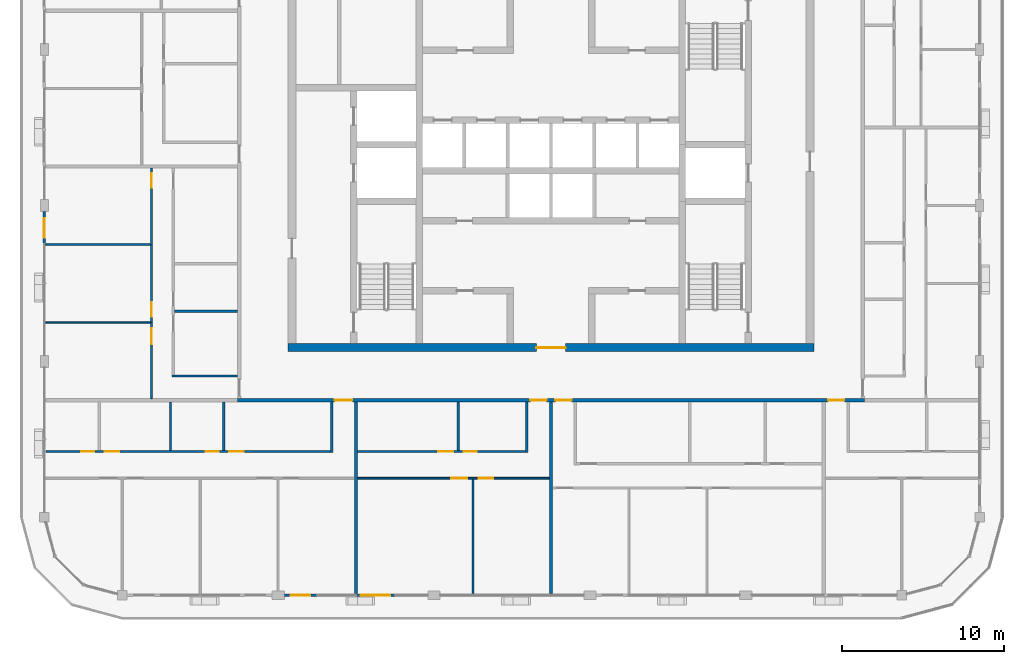
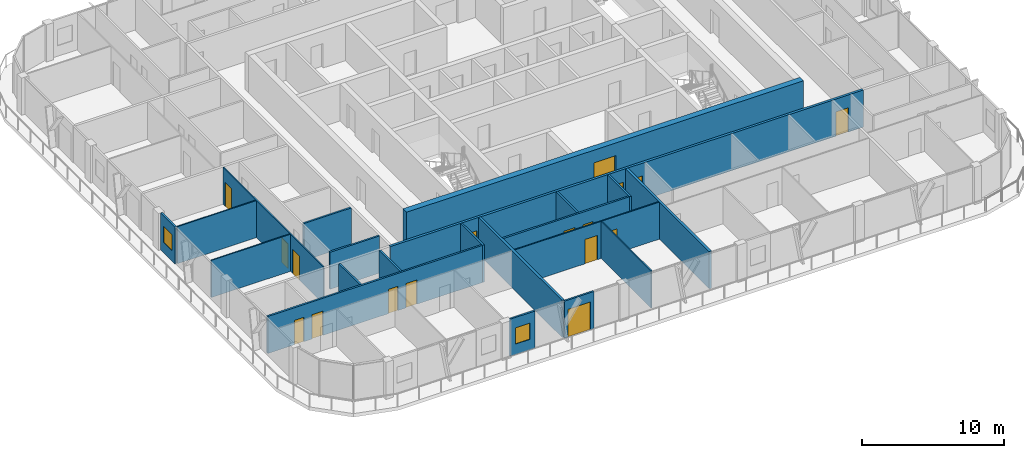
# One storey, part 9 of 21: 21 walls, 17 doors, 2 windows, 19 openings.
"""IFC4 building model written with IfcOpenShell, lengths in metres."""

from ifc_helpers import new_model, si_unit, direction, frame, frame_2d, origin, place, context, subcontext, project, spatial, rectangle, extrude, material, layer, layer_set, type_object, element, fill, save


model = new_model("IFC4")

# Units and contexts
model_context = context("Model", 3, precision=1e-05, world=origin(), true_north=direction((0.0, 1.0)))
body_context = subcontext(model_context, "Body", "Model", "MODEL_VIEW")
ifc_project = project(units=[si_unit("LENGTHUNIT", "METRE"), si_unit("AREAUNIT", "SQUARE_METRE"), si_unit("VOLUMEUNIT", "CUBIC_METRE"), si_unit("PLANEANGLEUNIT", "RADIAN"), si_unit("MASSUNIT", "GRAM", prefix="KILO")], contexts=[model_context])

# Site, building, storey
site_placement = place(None, origin())
site = spatial("IfcSite", under=ifc_project, at=site_placement, CompositionType="ELEMENT")
building_placement = place(site_placement, origin())
building = spatial("IfcBuilding", under=site, at=building_placement, Name="Madar Terraces", CompositionType="ELEMENT")
storey_placement = place(building_placement, frame((0.0, 0.0, 275.60009765625)))
storey = spatial("IfcBuildingStorey", under=building, at=storey_placement, Name="L72", CompositionType="ELEMENT", Elevation=275.60009765625)

# Wall, opening, door
ifc_material_1 = material(Name="Concrete C50/60", Category="concrete")
ifc_layer_1 = layer(ifc_material_1, 0.5)
ifc_layer_set_1 = layer_set([ifc_layer_1], Name="Concrete C50/60 (CRW6 RC wall 500)")
wall_type_1 = type_object("IfcWallType", Name="CRW6 RC wall 500", PredefinedType="SHEAR", material=ifc_layer_set_1)
wall_1_placement = place(storey_placement, frame((15.0, 15.25, 0.0), z_axis=(0.0, 0.0, 1.0), x_axis=(1.0, 0.0, 0.0)))
wall_1 = element("IfcWall", 1, at=wall_1_placement, inside=storey, type_object=wall_type_1, Name="CORE OUTER WALL", PredefinedType="SHEAR", context=body_context, shape_type="SweptSolid", body=[
    extrude(rectangle(XDim=32.39990234375, YDim=0.5, at=frame_2d((16.199951171875, 0.0))), origin(), (0.0, 0.0, 1.0), 3.199951171875),
])
opening_1_placement = place(wall_1_placement, frame((15.300048828125, 0.0, 0.0)))
opening_1 = element("IfcOpeningElement", 2, at=opening_1_placement, cuts=wall_1, Name="Opening KD1", PredefinedType="OPENING", context=body_context, shape_type="SweptSolid", body=[
    extrude(rectangle(XDim=1.800048828125, YDim=2.10009765625, at=frame_2d((0.89990234375, 1.050048828125))), frame((0.0, 0.260009765625, 0.0), z_axis=(0.0, -1.0, 0.0), x_axis=(1.0, 0.0, 0.0)), (0.0, 0.0, 1.0), 0.52001953125),
])
ifc_material_2 = material(Name="Steel door leaf", Category="steel")
door_type_1 = type_object("IfcDoorType", Name="Lobby door pair 1800 x 2100", OperationType="DOUBLE_DOOR_SINGLE_SWING", PredefinedType="DOOR", material=ifc_material_2)
door_1_placement = place(opening_1_placement, frame((1.800048828125, 0.0, 0.0), z_axis=(0.0, 0.0, 1.0), x_axis=(-1.0, 0.0, 0.0)))
door_1 = element("IfcDoor", 3, at=door_1_placement, inside=storey, type_object=door_type_1, Name="LIFT LOBBY DOOR", OperationType="DOUBLE_DOOR_SINGLE_SWING", OverallHeight=2.10009765625, OverallWidth=1.800048828125, PredefinedType="DOOR", context=body_context, shape_type="SweptSolid", body=[
    extrude(rectangle(XDim=1.800048828125, YDim=2.10009765625, at=frame_2d((0.89990234375, 1.050048828125))), frame((0.0, 0.02490234375, 0.0), z_axis=(0.0, -1.0, 0.0), x_axis=(1.0, 0.0, 0.0)), (0.0, 0.0, 1.0), 0.050048828125),
])
fill(opening_1, door_1)

# Wall, opening, window
ifc_material_3 = material(Name="Aluminium composite panel, black, over insulated backing", Category="aluminium")
ifc_layer_2 = layer(ifc_material_3, 0.14990234375)
ifc_layer_set_2 = layer_set([ifc_layer_2], Name="Facade bay panel 150")
wall_type_2 = type_object("IfcWallType", Name="Facade bay panel 150", PredefinedType="SOLIDWALL", material=ifc_layer_set_2)
wall_2_placement = place(storey_placement, frame((14.77490234375, 0.0, 0.0), z_axis=(0.0, 0.0, 1.0), x_axis=(1.0, 0.0, 0.0)))
wall_2 = element("IfcWall", 4, at=wall_2_placement, inside=storey, type_object=wall_type_2, Name="Facade bay panel", PredefinedType="SOLIDWALL", context=body_context, shape_type="SweptSolid", body=[
    extrude(rectangle(XDim=2.025146484375, YDim=0.14990234375, at=frame_2d((1.0126953125, 0.0))), origin(), (0.0, 0.0, 1.0), 3.199951171875),
])
opening_2_placement = place(wall_2_placement, frame((0.41259765625, 0.0, 0.89990234375)))
opening_2 = element("IfcOpeningElement", 5, at=opening_2_placement, cuts=wall_2, Name="Opening W1", PredefinedType="OPENING", context=body_context, shape_type="SweptSolid", body=[
    extrude(rectangle(XDim=1.199951171875, YDim=1.39990234375, at=frame_2d((0.60009765625, 0.699951171875))), frame((0.0, 0.0849609375, 0.0), z_axis=(0.0, -1.0, 0.0), x_axis=(1.0, 0.0, 0.0)), (0.0, 0.0, 1.0), 0.169921875),
])
ifc_material_4 = material(Name="Glass, clear, with black aluminium frame", Category="aluminium")
window_type = type_object("IfcWindowType", Name="Vent window 1200 x 1400", PartitioningType="SINGLE_PANEL", PredefinedType="WINDOW", material=ifc_material_4)
window_1_placement = place(opening_2_placement, origin())
window_1 = element("IfcWindow", 6, at=window_1_placement, inside=storey, type_object=window_type, Name="Operable vent window", OverallHeight=1.39990234375, OverallWidth=1.199951171875, PartitioningType="SINGLE_PANEL", PredefinedType="WINDOW", context=body_context, shape_type="SweptSolid", body=[
    extrude(rectangle(XDim=1.199951171875, YDim=1.39990234375, at=frame_2d((0.60009765625, 0.699951171875))), frame((0.0, 0.030029296875, 0.0), z_axis=(0.0, -1.0, 0.0), x_axis=(1.0, 0.0, 0.0)), (0.0, 0.0, 1.0), 0.06005859375),
])
fill(opening_2, window_1)

# Wall, opening, door
wall_3_placement = place(storey_placement, frame((19.199951171875, 0.0, 0.0), z_axis=(0.0, 0.0, 1.0), x_axis=(1.0, 0.0, 0.0)))
wall_3 = element("IfcWall", 7, at=wall_3_placement, inside=storey, type_object=wall_type_2, Name="Facade bay panel", PredefinedType="SOLIDWALL", context=body_context, shape_type="SweptSolid", body=[
    extrude(rectangle(XDim=2.400146484375, YDim=0.14990234375, at=frame_2d((1.2001953125, 0.0))), origin(), (0.0, 0.0, 1.0), 3.199951171875),
])
opening_3_placement = place(wall_3_placement, frame((0.300048828125, 0.0, 0.0)))
opening_3 = element("IfcOpeningElement", 8, at=opening_3_placement, cuts=wall_3, Name="Opening ED1", PredefinedType="OPENING", context=body_context, shape_type="SweptSolid", body=[
    extrude(rectangle(XDim=1.800048828125, YDim=2.39990234375, at=frame_2d((0.89990234375, 1.199951171875))), frame((0.0, 0.0849609375, 0.0), z_axis=(0.0, -1.0, 0.0), x_axis=(1.0, 0.0, 0.0)), (0.0, 0.0, 1.0), 0.169921875),
])
ifc_material_5 = material(Name="Glass, clear, with black aluminium frame", Category="aluminium")
door_type_2 = type_object("IfcDoorType", Name="Balcony and terrace sliding door 1800 x 2400", OperationType="SLIDING_TO_LEFT", PredefinedType="DOOR", material=ifc_material_5)
door_2_placement = place(opening_3_placement, origin())
door_2 = element("IfcDoor", 9, at=door_2_placement, inside=storey, type_object=door_type_2, Name="Balcony door", OperationType="SLIDING_TO_LEFT", OverallHeight=2.39990234375, OverallWidth=1.800048828125, PredefinedType="DOOR", context=body_context, shape_type="SweptSolid", body=[
    extrude(rectangle(XDim=1.800048828125, YDim=2.39990234375, at=frame_2d((0.89990234375, 1.199951171875))), frame((0.0, 0.02490234375, 0.0), z_axis=(0.0, -1.0, 0.0), x_axis=(1.0, 0.0, 0.0)), (0.0, 0.0, 1.0), 0.050048828125),
])
fill(opening_3, door_2)

# Wall, opening, window
wall_4_placement = place(storey_placement, frame((0.0, 23.625, 0.0), z_axis=(0.0, 0.0, 1.0), x_axis=(0.0, -1.0, 0.0)))
wall_4 = element("IfcWall", 10, at=wall_4_placement, inside=storey, type_object=wall_type_2, Name="Facade bay panel", PredefinedType="SOLIDWALL", context=body_context, shape_type="SweptSolid", body=[
    extrude(rectangle(XDim=2.02490234375, YDim=0.14990234375, at=frame_2d((1.012451171875, 0.0))), origin(), (0.0, 0.0, 1.0), 3.199951171875),
])
opening_4_placement = place(wall_4_placement, frame((0.41259765625, 0.0, 0.89990234375)))
opening_4 = element("IfcOpeningElement", 11, at=opening_4_placement, cuts=wall_4, Name="Opening W1", PredefinedType="OPENING", context=body_context, shape_type="SweptSolid", body=[
    extrude(rectangle(XDim=1.199951171875, YDim=1.39990234375, at=frame_2d((0.60009765625, 0.699951171875))), frame((0.0, 0.0849609375, 0.0), z_axis=(0.0, -1.0, 0.0), x_axis=(1.0, 0.0, 0.0)), (0.0, 0.0, 1.0), 0.169921875),
])
window_2_placement = place(opening_4_placement, origin())
window_2 = element("IfcWindow", 12, at=window_2_placement, inside=storey, type_object=window_type, Name="Operable vent window", OverallHeight=1.39990234375, OverallWidth=1.199951171875, PartitioningType="SINGLE_PANEL", PredefinedType="WINDOW", context=body_context, shape_type="SweptSolid", body=[
    extrude(rectangle(XDim=1.199951171875, YDim=1.39990234375, at=frame_2d((0.60009765625, 0.699951171875))), frame((0.0, 0.030029296875, 0.0), z_axis=(0.0, -1.0, 0.0), x_axis=(1.0, 0.0, 0.0)), (0.0, 0.0, 1.0), 0.06005859375),
])
fill(opening_4, window_2)

# Wall
ifc_material_6 = material(Name="Gypsum board on steel studs", Category="steel")
ifc_layer_3 = layer(ifc_material_6, 0.10009765625)
ifc_layer_set_3 = layer_set([ifc_layer_3], Name="Flat partition 100")
wall_type_3 = type_object("IfcWallType", Name="Flat partition 100", PredefinedType="PARTITIONING", material=ifc_layer_set_3)
wall_5_placement = place(storey_placement, frame((26.39990234375, 7.14990234375, 0.0), z_axis=(0.0, 0.0, 1.0), x_axis=(0.0, -1.0, 0.0)))
element("IfcWall", 13, at=wall_5_placement, inside=storey, type_object=wall_type_3, Name="Flat partition 100", PredefinedType="PARTITIONING", context=body_context, shape_type="SweptSolid", body=[
    extrude(rectangle(XDim=7.0498046875, YDim=0.10009765625, at=frame_2d((3.52490234375, 0.0))), origin(), (0.0, 0.0, 1.0), 3.199951171875),
])

# Wall, openings, doors
wall_6_placement = place(storey_placement, frame((31.10009765625, 7.199951171875, 0.0), z_axis=(0.0, 0.0, 1.0), x_axis=(-1.0, 0.0, 0.0)))
wall_6 = element("IfcWall", 14, at=wall_6_placement, inside=storey, type_object=wall_type_3, Name="Flat partition 100", PredefinedType="PARTITIONING", context=body_context, shape_type="SweptSolid", body=[
    extrude(rectangle(XDim=11.800048828125, YDim=0.10009765625, at=frame_2d((5.89990234375, 0.0))), origin(), (0.0, 0.0, 1.0), 3.199951171875),
])
opening_5_placement = place(wall_6_placement, frame((3.449951171875, 0.0, 0.0)))
opening_5 = element("IfcOpeningElement", 15, at=opening_5_placement, cuts=wall_6, Name="Opening D2", PredefinedType="OPENING", context=body_context, shape_type="SweptSolid", body=[
    extrude(rectangle(XDim=0.89990234375, YDim=2.10009765625, at=frame_2d((0.449951171875, 1.050048828125))), frame((0.0, 0.06005859375, 0.0), z_axis=(0.0, -1.0, 0.0), x_axis=(1.0, 0.0, 0.0)), (0.0, 0.0, 1.0), 0.1201171875),
])
opening_6_placement = place(wall_6_placement, frame((5.050048828125, 0.0, 0.0)))
opening_6 = element("IfcOpeningElement", 16, at=opening_6_placement, cuts=wall_6, Name="Opening D3", PredefinedType="OPENING", context=body_context, shape_type="SweptSolid", body=[
    extrude(rectangle(XDim=1.0, YDim=2.10009765625, at=frame_2d((0.5, 1.050048828125))), frame((0.0, 0.06005859375, 0.0), z_axis=(0.0, -1.0, 0.0), x_axis=(1.0, 0.0, 0.0)), (0.0, 0.0, 1.0), 0.1201171875),
])
ifc_material_7 = material(Name="Timber door leaf", Category="wood")
door_type_3 = type_object("IfcDoorType", Name="Flat living room door 1000", OperationType="NOTDEFINED", PredefinedType="DOOR", material=ifc_material_7)
door_3_placement = place(opening_6_placement, origin())
door_3 = element("IfcDoor", 17, at=door_3_placement, inside=storey, type_object=door_type_3, Name="Flat living room door 1000", OperationType="SINGLE_SWING_LEFT", OverallHeight=2.10009765625, OverallWidth=1.0, PredefinedType="DOOR", context=body_context, shape_type="SweptSolid", body=[
    extrude(rectangle(XDim=1.0, YDim=2.10009765625, at=frame_2d((0.5, 1.050048828125))), frame((0.0, 0.02490234375, 0.0), z_axis=(0.0, -1.0, 0.0), x_axis=(1.0, 0.0, 0.0)), (0.0, 0.0, 1.0), 0.050048828125),
])
fill(opening_6, door_3)
ifc_material_8 = material(Name="Timber door leaf", Category="wood")
door_type_4 = type_object("IfcDoorType", Name="Flat room door 900", OperationType="NOTDEFINED", PredefinedType="DOOR", material=ifc_material_8)
door_4_placement = place(opening_5_placement, origin())
door_4 = element("IfcDoor", 18, at=door_4_placement, inside=storey, type_object=door_type_4, Name="Flat room door 900", OperationType="SINGLE_SWING_RIGHT", OverallHeight=2.10009765625, OverallWidth=0.89990234375, PredefinedType="DOOR", context=body_context, shape_type="SweptSolid", body=[
    extrude(rectangle(XDim=0.89990234375, YDim=2.10009765625, at=frame_2d((0.449951171875, 1.050048828125))), frame((0.0, 0.02490234375, 0.0), z_axis=(0.0, -1.0, 0.0), x_axis=(1.0, 0.0, 0.0)), (0.0, 0.0, 1.0), 0.050048828125),
])
fill(opening_5, door_4)

# Walls
for number, where, z_axis, x_axis, name in (
    (19, (6.550048828125, 16.800048828125, 0.0), (0.0, 0.0, 1.0), (-1.0, 0.0, 0.0), "Flat partition 100"),
    (20, (6.550048828125, 21.60009765625, 0.0), (0.0, 0.0, 1.0), (-1.0, 0.0, 0.0), "Flat partition 100"),
):
    element("IfcWall", number, at=place(storey_placement, frame(where, z_axis=z_axis, x_axis=x_axis)), inside=storey, type_object=wall_type_3, Name=name, PredefinedType="PARTITIONING", context=body_context, shape_type="SweptSolid", body=[
        extrude(rectangle(XDim=6.449951171875, YDim=0.10009765625, at=frame_2d((3.22509765625, 0.0))), origin(), (0.0, 0.0, 1.0), 3.199951171875),
    ])

# Wall, openings, doors
wall_7_placement = place(storey_placement, frame((6.60009765625, 12.10009765625, 0.0), z_axis=(0.0, 0.0, 1.0), x_axis=(0.0, 1.0, 0.0)))
wall_7 = element("IfcWall", 21, at=wall_7_placement, inside=storey, type_object=wall_type_3, Name="Flat partition 100", PredefinedType="PARTITIONING", context=body_context, shape_type="SweptSolid", body=[
    extrude(rectangle(XDim=14.199951171875, YDim=0.10009765625, at=frame_2d((7.10009765625, 0.0))), origin(), (0.0, 0.0, 1.0), 3.199951171875),
])
opening_7_placement = place(wall_7_placement, frame((3.35009765625, 0.0, 0.0)))
opening_7 = element("IfcOpeningElement", 22, at=opening_7_placement, cuts=wall_7, Name="Opening D3", PredefinedType="OPENING", context=body_context, shape_type="SweptSolid", body=[
    extrude(rectangle(XDim=1.0, YDim=2.10009765625, at=frame_2d((0.5, 1.050048828125))), frame((0.0, 0.06005859375, 0.0), z_axis=(0.0, -1.0, 0.0), x_axis=(1.0, 0.0, 0.0)), (0.0, 0.0, 1.0), 0.1201171875),
])
opening_8_placement = place(wall_7_placement, frame((5.050048828125, 0.0, 0.0)))
opening_8 = element("IfcOpeningElement", 23, at=opening_8_placement, cuts=wall_7, Name="Opening D2", PredefinedType="OPENING", context=body_context, shape_type="SweptSolid", body=[
    extrude(rectangle(XDim=0.89990234375, YDim=2.10009765625, at=frame_2d((0.449951171875, 1.050048828125))), frame((0.0, 0.06005859375, 0.0), z_axis=(0.0, -1.0, 0.0), x_axis=(1.0, 0.0, 0.0)), (0.0, 0.0, 1.0), 0.1201171875),
])
opening_9_placement = place(wall_7_placement, frame((13.0, 0.0, 0.0)))
opening_9 = element("IfcOpeningElement", 24, at=opening_9_placement, cuts=wall_7, Name="Opening D2", PredefinedType="OPENING", context=body_context, shape_type="SweptSolid", body=[
    extrude(rectangle(XDim=0.89990234375, YDim=2.10009765625, at=frame_2d((0.449951171875, 1.050048828125))), frame((0.0, 0.06005859375, 0.0), z_axis=(0.0, -1.0, 0.0), x_axis=(1.0, 0.0, 0.0)), (0.0, 0.0, 1.0), 0.1201171875),
])
door_5_placement = place(opening_7_placement, origin())
door_5 = element("IfcDoor", 25, at=door_5_placement, inside=storey, type_object=door_type_3, Name="Flat living room door 1000", OperationType="SINGLE_SWING_RIGHT", OverallHeight=2.10009765625, OverallWidth=1.0, PredefinedType="DOOR", context=body_context, shape_type="SweptSolid", body=[
    extrude(rectangle(XDim=1.0, YDim=2.10009765625, at=frame_2d((0.5, 1.050048828125))), frame((0.0, 0.02490234375, 0.0), z_axis=(0.0, -1.0, 0.0), x_axis=(1.0, 0.0, 0.0)), (0.0, 0.0, 1.0), 0.050048828125),
])
fill(opening_7, door_5)
door_6_placement = place(opening_8_placement, origin())
door_6 = element("IfcDoor", 26, at=door_6_placement, inside=storey, type_object=door_type_4, Name="Flat room door 900", OperationType="SINGLE_SWING_LEFT", OverallHeight=2.10009765625, OverallWidth=0.89990234375, PredefinedType="DOOR", context=body_context, shape_type="SweptSolid", body=[
    extrude(rectangle(XDim=0.89990234375, YDim=2.10009765625, at=frame_2d((0.449951171875, 1.050048828125))), frame((0.0, 0.02490234375, 0.0), z_axis=(0.0, -1.0, 0.0), x_axis=(1.0, 0.0, 0.0)), (0.0, 0.0, 1.0), 0.050048828125),
])
fill(opening_8, door_6)
door_7_placement = place(opening_9_placement, origin())
door_7 = element("IfcDoor", 27, at=door_7_placement, inside=storey, type_object=door_type_4, Name="Flat room door 900", OperationType="SINGLE_SWING_RIGHT", OverallHeight=2.10009765625, OverallWidth=0.89990234375, PredefinedType="DOOR", context=body_context, shape_type="SweptSolid", body=[
    extrude(rectangle(XDim=0.89990234375, YDim=2.10009765625, at=frame_2d((0.449951171875, 1.050048828125))), frame((0.0, 0.02490234375, 0.0), z_axis=(0.0, -1.0, 0.0), x_axis=(1.0, 0.0, 0.0)), (0.0, 0.0, 1.0), 0.050048828125),
])
fill(opening_9, door_7)

ifc_material_9 = material(Name="Lightweight blockwork", Category="masonry")
ifc_layer_4 = layer(ifc_material_9, 0.199951171875)
ifc_layer_set_4 = layer_set([ifc_layer_4], Name="Flat party and entrance wall 200")
wall_type_4 = type_object("IfcWallType", Name="Flat party and entrance wall 200", PredefinedType="PARTITIONING", material=ifc_layer_set_4)
wall_8_placement = place(storey_placement, frame((50.5, 12.0, 0.0), z_axis=(0.0, 0.0, 1.0), x_axis=(-1.0, 0.0, 0.0)))
wall_8 = element("IfcWall", 28, at=wall_8_placement, inside=storey, type_object=wall_type_4, Name="Flat party and entrance wall 200", PredefinedType="PARTITIONING", context=body_context, shape_type="SweptSolid", body=[
    extrude(rectangle(XDim=38.60009765625, YDim=0.199951171875, at=frame_2d((19.300048828125, 0.0))), origin(), (0.0, 0.0, 1.0), 3.199951171875),
])
opening_10_placement = place(wall_8_placement, frame((31.52490234375, 0.0, 0.0)))
opening_10 = element("IfcOpeningElement", 29, at=opening_10_placement, cuts=wall_8, Name="Opening D6", PredefinedType="OPENING", context=body_context, shape_type="SweptSolid", body=[
    extrude(rectangle(XDim=1.10009765625, YDim=2.10009765625, at=frame_2d((0.550048828125, 1.050048828125))), frame((0.0, 0.10986328125, 0.0), z_axis=(0.0, -1.0, 0.0), x_axis=(1.0, 0.0, 0.0)), (0.0, 0.0, 1.0), 0.219970703125),
])
opening_11_placement = place(wall_8_placement, frame((19.574951171875, 0.0, 0.0)))
opening_11 = element("IfcOpeningElement", 30, at=opening_11_placement, cuts=wall_8, Name="Opening D1", PredefinedType="OPENING", context=body_context, shape_type="SweptSolid", body=[
    extrude(rectangle(XDim=1.0, YDim=2.10009765625, at=frame_2d((0.5, 1.050048828125))), frame((0.0, 0.10986328125, 0.0), z_axis=(0.0, -1.0, 0.0), x_axis=(1.0, 0.0, 0.0)), (0.0, 0.0, 1.0), 0.219970703125),
])
opening_12_placement = place(wall_8_placement, frame((18.02490234375, 0.0, 0.0)))
opening_12 = element("IfcOpeningElement", 31, at=opening_12_placement, cuts=wall_8, Name="Opening D1", PredefinedType="OPENING", context=body_context, shape_type="SweptSolid", body=[
    extrude(rectangle(XDim=1.0, YDim=2.10009765625, at=frame_2d((0.5, 1.050048828125))), frame((0.0, 0.10986328125, 0.0), z_axis=(0.0, -1.0, 0.0), x_axis=(1.0, 0.0, 0.0)), (0.0, 0.0, 1.0), 0.219970703125),
])
opening_13_placement = place(wall_8_placement, frame((1.22509765625, 0.0, 0.0)))
opening_13 = element("IfcOpeningElement", 32, at=opening_13_placement, cuts=wall_8, Name="Opening D1", PredefinedType="OPENING", context=body_context, shape_type="SweptSolid", body=[
    extrude(rectangle(XDim=1.0, YDim=2.10009765625, at=frame_2d((0.5, 1.050048828125))), frame((0.0, 0.10986328125, 0.0), z_axis=(0.0, -1.0, 0.0), x_axis=(1.0, 0.0, 0.0)), (0.0, 0.0, 1.0), 0.219970703125),
])
ifc_material_10 = material(Name="Timber fire door leaf", Category="wood")
door_type_5 = type_object("IfcDoorType", Name="Flat entrance door 1000 FD30S", OperationType="NOTDEFINED", PredefinedType="DOOR", material=ifc_material_10)
door_8_placement = place(opening_11_placement, origin())
door_8 = element("IfcDoor", 33, at=door_8_placement, inside=storey, type_object=door_type_5, Name="Flat entrance door 1000 FD30S", OperationType="SINGLE_SWING_LEFT", OverallHeight=2.10009765625, OverallWidth=1.0, PredefinedType="DOOR", context=body_context, shape_type="SweptSolid", body=[
    extrude(rectangle(XDim=1.0, YDim=2.10009765625, at=frame_2d((0.5, 1.050048828125))), frame((0.0, 0.02490234375, 0.0), z_axis=(0.0, -1.0, 0.0), x_axis=(1.0, 0.0, 0.0)), (0.0, 0.0, 1.0), 0.050048828125),
])
fill(opening_11, door_8)
door_9_placement = place(opening_12_placement, origin())
door_9 = element("IfcDoor", 34, at=door_9_placement, inside=storey, type_object=door_type_5, Name="Flat entrance door 1000 FD30S", OperationType="SINGLE_SWING_RIGHT", OverallHeight=2.10009765625, OverallWidth=1.0, PredefinedType="DOOR", context=body_context, shape_type="SweptSolid", body=[
    extrude(rectangle(XDim=1.0, YDim=2.10009765625, at=frame_2d((0.5, 1.050048828125))), frame((0.0, 0.02490234375, 0.0), z_axis=(0.0, -1.0, 0.0), x_axis=(1.0, 0.0, 0.0)), (0.0, 0.0, 1.0), 0.050048828125),
])
fill(opening_12, door_9)
door_10_placement = place(opening_13_placement, origin())
door_10 = element("IfcDoor", 35, at=door_10_placement, inside=storey, type_object=door_type_5, Name="Flat entrance door 1000 FD30S", OperationType="SINGLE_SWING_RIGHT", OverallHeight=2.10009765625, OverallWidth=1.0, PredefinedType="DOOR", context=body_context, shape_type="SweptSolid", body=[
    extrude(rectangle(XDim=1.0, YDim=2.10009765625, at=frame_2d((0.5, 1.050048828125))), frame((0.0, 0.02490234375, 0.0), z_axis=(0.0, -1.0, 0.0), x_axis=(1.0, 0.0, 0.0)), (0.0, 0.0, 1.0), 0.050048828125),
])
fill(opening_13, door_10)
ifc_material_11 = material(Name="Timber fire door leaf", Category="wood")
door_type_6 = type_object("IfcDoorType", Name="Flat entrance door 1100 FD30S", OperationType="NOTDEFINED", PredefinedType="DOOR", material=ifc_material_11)
door_11_placement = place(opening_10_placement, origin())
door_11 = element("IfcDoor", 36, at=door_11_placement, inside=storey, type_object=door_type_6, Name="Flat entrance door 1100 FD30S", OperationType="SINGLE_SWING_LEFT", OverallHeight=2.10009765625, OverallWidth=1.10009765625, PredefinedType="DOOR", context=body_context, shape_type="SweptSolid", body=[
    extrude(rectangle(XDim=1.10009765625, YDim=2.10009765625, at=frame_2d((0.550048828125, 1.050048828125))), frame((0.0, 0.02490234375, 0.0), z_axis=(0.0, -1.0, 0.0), x_axis=(1.0, 0.0, 0.0)), (0.0, 0.0, 1.0), 0.050048828125),
])
fill(opening_10, door_11)

# Walls
for number, where, z_axis, x_axis, name in (
    (37, (19.199951171875, 11.89990234375, 0.0), (0.0, 0.0, 1.0), (0.0, -1.0, 0.0), "Flat party and entrance wall 200"),
    (38, (31.199951171875, 11.89990234375, 0.0), (0.0, 0.0, 1.0), (0.0, -1.0, 0.0), "Flat party and entrance wall 200"),
):
    element("IfcWall", number, at=place(storey_placement, frame(where, z_axis=z_axis, x_axis=x_axis)), inside=storey, type_object=wall_type_4, Name=name, PredefinedType="PARTITIONING", context=body_context, shape_type="SweptSolid", body=[
        extrude(rectangle(XDim=11.7998046875, YDim=0.199951171875, at=frame_2d((5.89990234375, 0.0))), origin(), (0.0, 0.0, 1.0), 3.199951171875),
    ])
ifc_material_12 = material(Name="Lightweight blockwork", Category="masonry")
ifc_layer_5 = layer(ifc_material_12, 0.14990234375)
ifc_layer_set_5 = layer_set([ifc_layer_5], Name="Flat wet-room partition 150")
wall_type_5 = type_object("IfcWallType", Name="Flat wet-room partition 150", PredefinedType="PARTITIONING", material=ifc_layer_set_5)
for number, where, z_axis, x_axis, name in (
    (39, (11.052978515625, 11.89990234375, 0.0), (0.0, 0.0, 1.0), (0.0, -1.0, 0.0), "Flat wet-room partition 150"),
    (40, (7.76708984375, 11.89990234375, 0.0), (0.0, 0.0, 1.0), (0.0, -1.0, 0.0), "Flat wet-room partition 150"),
):
    element("IfcWall", number, at=place(storey_placement, frame(where, z_axis=z_axis, x_axis=x_axis)), inside=storey, type_object=wall_type_5, Name=name, PredefinedType="PARTITIONING", context=body_context, shape_type="SweptSolid", body=[
        extrude(rectangle(XDim=2.974853515625, YDim=0.14990234375, at=frame_2d((1.4873046875, 0.0))), origin(), (0.0, 0.0, 1.0), 3.199951171875),
    ])
wall_9_placement = place(storey_placement, frame((17.699951171875, 11.89990234375, 0.0), z_axis=(0.0, 0.0, 1.0), x_axis=(0.0, -1.0, 0.0)))
element("IfcWall", 41, at=wall_9_placement, inside=storey, type_object=wall_type_5, Name="Flat wet-room partition 150", PredefinedType="PARTITIONING", context=body_context, shape_type="SweptSolid", body=[
    extrude(rectangle(XDim=3.125, YDim=0.14990234375, at=frame_2d((1.5625, 0.0))), origin(), (0.0, 0.0, 1.0), 3.199951171875),
])

# Wall, openings, doors
wall_10_placement = place(storey_placement, frame((0.10009765625, 8.85009765625, 0.0), z_axis=(0.0, 0.0, 1.0), x_axis=(1.0, 0.0, 0.0)))
wall_10 = element("IfcWall", 42, at=wall_10_placement, inside=storey, type_object=wall_type_5, Name="Flat wet-room partition 150", PredefinedType="PARTITIONING", context=body_context, shape_type="SweptSolid", body=[
    extrude(rectangle(XDim=17.52490234375, YDim=0.14990234375, at=frame_2d((8.762451171875, 0.0))), origin(), (0.0, 0.0, 1.0), 3.199951171875),
])
opening_14_placement = place(wall_10_placement, frame((11.278076171875, 0.0, 0.0)))
opening_14 = element("IfcOpeningElement", 43, at=opening_14_placement, cuts=wall_10, Name="Opening D2", PredefinedType="OPENING", context=body_context, shape_type="SweptSolid", body=[
    extrude(rectangle(XDim=0.89990234375, YDim=2.10009765625, at=frame_2d((0.449951171875, 1.050048828125))), frame((0.0, 0.0849609375, 0.0), z_axis=(0.0, -1.0, 0.0), x_axis=(1.0, 0.0, 0.0)), (0.0, 0.0, 1.0), 0.169921875),
])
opening_15_placement = place(wall_10_placement, frame((9.828125, 0.0, 0.0)))
opening_15 = element("IfcOpeningElement", 44, at=opening_15_placement, cuts=wall_10, Name="Opening D4", PredefinedType="OPENING", context=body_context, shape_type="SweptSolid", body=[
    extrude(rectangle(XDim=0.800048828125, YDim=2.10009765625, at=frame_2d((0.39990234375, 1.050048828125))), frame((0.0, 0.0849609375, 0.0), z_axis=(0.0, -1.0, 0.0), x_axis=(1.0, 0.0, 0.0)), (0.0, 0.0, 1.0), 0.169921875),
])
opening_16_placement = place(wall_10_placement, frame((3.611083984375, 0.0, 0.0)))
opening_16 = element("IfcOpeningElement", 45, at=opening_16_placement, cuts=wall_10, Name="Opening D5", PredefinedType="OPENING", context=body_context, shape_type="SweptSolid", body=[
    extrude(rectangle(XDim=0.89990234375, YDim=2.10009765625, at=frame_2d((0.449951171875, 1.050048828125))), frame((0.0, 0.0849609375, 0.0), z_axis=(0.0, -1.0, 0.0), x_axis=(1.0, 0.0, 0.0)), (0.0, 0.0, 1.0), 0.169921875),
])
opening_17_placement = place(wall_10_placement, frame((2.160888671875, 0.0, 0.0)))
opening_17 = element("IfcOpeningElement", 46, at=opening_17_placement, cuts=wall_10, Name="Opening D7", PredefinedType="OPENING", context=body_context, shape_type="SweptSolid", body=[
    extrude(rectangle(XDim=0.800048828125, YDim=2.10009765625, at=frame_2d((0.39990234375, 1.050048828125))), frame((0.0, 0.0849609375, 0.0), z_axis=(0.0, -1.0, 0.0), x_axis=(1.0, 0.0, 0.0)), (0.0, 0.0, 1.0), 0.169921875),
])
ifc_material_13 = material(Name="Timber door leaf", Category="wood")
door_type_7 = type_object("IfcDoorType", Name="Flat accessible bathroom door 900", OperationType="NOTDEFINED", PredefinedType="DOOR", material=ifc_material_13)
door_12_placement = place(opening_16_placement, origin())
door_12 = element("IfcDoor", 47, at=door_12_placement, inside=storey, type_object=door_type_7, Name="Flat accessible bathroom door 900", OperationType="SINGLE_SWING_LEFT", OverallHeight=2.10009765625, OverallWidth=0.89990234375, PredefinedType="DOOR", context=body_context, shape_type="SweptSolid", body=[
    extrude(rectangle(XDim=0.89990234375, YDim=2.10009765625, at=frame_2d((0.449951171875, 1.050048828125))), frame((0.0, 0.02490234375, 0.0), z_axis=(0.0, -1.0, 0.0), x_axis=(1.0, 0.0, 0.0)), (0.0, 0.0, 1.0), 0.050048828125),
])
fill(opening_16, door_12)
ifc_material_14 = material(Name="Timber door leaf", Category="wood")
door_type_8 = type_object("IfcDoorType", Name="Flat bathroom door 800", OperationType="NOTDEFINED", PredefinedType="DOOR", material=ifc_material_14)
door_13_placement = place(opening_15_placement, origin())
door_13 = element("IfcDoor", 48, at=door_13_placement, inside=storey, type_object=door_type_8, Name="Flat bathroom door 800", OperationType="SINGLE_SWING_RIGHT", OverallHeight=2.10009765625, OverallWidth=0.800048828125, PredefinedType="DOOR", context=body_context, shape_type="SweptSolid", body=[
    extrude(rectangle(XDim=0.800048828125, YDim=2.10009765625, at=frame_2d((0.39990234375, 1.050048828125))), frame((0.0, 0.02490234375, 0.0), z_axis=(0.0, -1.0, 0.0), x_axis=(1.0, 0.0, 0.0)), (0.0, 0.0, 1.0), 0.050048828125),
])
fill(opening_15, door_13)
door_14_placement = place(opening_14_placement, origin())
door_14 = element("IfcDoor", 49, at=door_14_placement, inside=storey, type_object=door_type_4, Name="Flat room door 900", OperationType="SINGLE_SWING_LEFT", OverallHeight=2.10009765625, OverallWidth=0.89990234375, PredefinedType="DOOR", context=body_context, shape_type="SweptSolid", body=[
    extrude(rectangle(XDim=0.89990234375, YDim=2.10009765625, at=frame_2d((0.449951171875, 1.050048828125))), frame((0.0, 0.02490234375, 0.0), z_axis=(0.0, -1.0, 0.0), x_axis=(1.0, 0.0, 0.0)), (0.0, 0.0, 1.0), 0.050048828125),
])
fill(opening_14, door_14)
ifc_material_15 = material(Name="Timber door leaf", Category="wood")
door_type_9 = type_object("IfcDoorType", Name="Flat utility door 800", OperationType="NOTDEFINED", PredefinedType="DOOR", material=ifc_material_15)
door_15_placement = place(opening_17_placement, origin())
door_15 = element("IfcDoor", 50, at=door_15_placement, inside=storey, type_object=door_type_9, Name="Flat utility door 800", OperationType="SINGLE_SWING_RIGHT", OverallHeight=2.10009765625, OverallWidth=0.800048828125, PredefinedType="DOOR", context=body_context, shape_type="SweptSolid", body=[
    extrude(rectangle(XDim=0.800048828125, YDim=2.10009765625, at=frame_2d((0.39990234375, 1.050048828125))), frame((0.0, 0.02490234375, 0.0), z_axis=(0.0, -1.0, 0.0), x_axis=(1.0, 0.0, 0.0)), (0.0, 0.0, 1.0), 0.050048828125),
])
fill(opening_17, door_15)

# Walls
wall_11_placement = place(storey_placement, frame((25.4951171875, 11.89990234375, 0.0), z_axis=(0.0, 0.0, 1.0), x_axis=(0.0, -1.0, 0.0)))
element("IfcWall", 51, at=wall_11_placement, inside=storey, type_object=wall_type_5, Name="Flat wet-room partition 150", PredefinedType="PARTITIONING", context=body_context, shape_type="SweptSolid", body=[
    extrude(rectangle(XDim=2.974853515625, YDim=0.14990234375, at=frame_2d((1.4873046875, 0.0))), origin(), (0.0, 0.0, 1.0), 3.199951171875),
])
wall_12_placement = place(storey_placement, frame((29.699951171875, 11.89990234375, 0.0), z_axis=(0.0, 0.0, 1.0), x_axis=(0.0, -1.0, 0.0)))
element("IfcWall", 52, at=wall_12_placement, inside=storey, type_object=wall_type_5, Name="Flat wet-room partition 150", PredefinedType="PARTITIONING", context=body_context, shape_type="SweptSolid", body=[
    extrude(rectangle(XDim=3.125, YDim=0.14990234375, at=frame_2d((1.5625, 0.0))), origin(), (0.0, 0.0, 1.0), 3.199951171875),
])

# Wall, openings, doors
wall_13_placement = place(storey_placement, frame((19.300048828125, 8.85009765625, 0.0), z_axis=(0.0, 0.0, 1.0), x_axis=(1.0, 0.0, 0.0)))
wall_13 = element("IfcWall", 53, at=wall_13_placement, inside=storey, type_object=wall_type_5, Name="Flat wet-room partition 150", PredefinedType="PARTITIONING", context=body_context, shape_type="SweptSolid", body=[
    extrude(rectangle(XDim=10.324951171875, YDim=0.14990234375, at=frame_2d((5.16259765625, 0.0))), origin(), (0.0, 0.0, 1.0), 3.199951171875),
])
opening_18_placement = place(wall_13_placement, frame((6.52001953125, 0.0, 0.0)))
opening_18 = element("IfcOpeningElement", 54, at=opening_18_placement, cuts=wall_13, Name="Opening D4", PredefinedType="OPENING", context=body_context, shape_type="SweptSolid", body=[
    extrude(rectangle(XDim=0.800048828125, YDim=2.10009765625, at=frame_2d((0.39990234375, 1.050048828125))), frame((0.0, 0.0849609375, 0.0), z_axis=(0.0, -1.0, 0.0), x_axis=(1.0, 0.0, 0.0)), (0.0, 0.0, 1.0), 0.169921875),
])
opening_19_placement = place(wall_13_placement, frame((4.969970703125, 0.0, 0.0)))
opening_19 = element("IfcOpeningElement", 55, at=opening_19_placement, cuts=wall_13, Name="Opening D2", PredefinedType="OPENING", context=body_context, shape_type="SweptSolid", body=[
    extrude(rectangle(XDim=0.89990234375, YDim=2.10009765625, at=frame_2d((0.449951171875, 1.050048828125))), frame((0.0, 0.0849609375, 0.0), z_axis=(0.0, -1.0, 0.0), x_axis=(1.0, 0.0, 0.0)), (0.0, 0.0, 1.0), 0.169921875),
])
door_16_placement = place(opening_18_placement, origin())
door_16 = element("IfcDoor", 56, at=door_16_placement, inside=storey, type_object=door_type_8, Name="Flat bathroom door 800", OperationType="SINGLE_SWING_LEFT", OverallHeight=2.10009765625, OverallWidth=0.800048828125, PredefinedType="DOOR", context=body_context, shape_type="SweptSolid", body=[
    extrude(rectangle(XDim=0.800048828125, YDim=2.10009765625, at=frame_2d((0.39990234375, 1.050048828125))), frame((0.0, 0.02490234375, 0.0), z_axis=(0.0, -1.0, 0.0), x_axis=(1.0, 0.0, 0.0)), (0.0, 0.0, 1.0), 0.050048828125),
])
fill(opening_18, door_16)
door_17_placement = place(opening_19_placement, origin())
door_17 = element("IfcDoor", 57, at=door_17_placement, inside=storey, type_object=door_type_4, Name="Flat room door 900", OperationType="SINGLE_SWING_RIGHT", OverallHeight=2.10009765625, OverallWidth=0.89990234375, PredefinedType="DOOR", context=body_context, shape_type="SweptSolid", body=[
    extrude(rectangle(XDim=0.89990234375, YDim=2.10009765625, at=frame_2d((0.449951171875, 1.050048828125))), frame((0.0, 0.02490234375, 0.0), z_axis=(0.0, -1.0, 0.0), x_axis=(1.0, 0.0, 0.0)), (0.0, 0.0, 1.0), 0.050048828125),
])
fill(opening_19, door_17)

# Walls
wall_14_placement = place(storey_placement, frame((11.89990234375, 17.490478515625, 0.0), z_axis=(0.0, 0.0, 1.0), x_axis=(-1.0, 0.0, 0.0)))
element("IfcWall", 58, at=wall_14_placement, inside=storey, type_object=wall_type_5, Name="Flat wet-room partition 150", PredefinedType="PARTITIONING", context=body_context, shape_type="SweptSolid", body=[
    extrude(rectangle(XDim=3.875, YDim=0.14990234375, at=frame_2d((1.9375, 0.0))), origin(), (0.0, 0.0, 1.0), 3.199951171875),
])
wall_15_placement = place(storey_placement, frame((11.89990234375, 13.5, 0.0), z_axis=(0.0, 0.0, 1.0), x_axis=(-1.0, 0.0, 0.0)))
element("IfcWall", 59, at=wall_15_placement, inside=storey, type_object=wall_type_5, Name="Flat wet-room partition 150", PredefinedType="PARTITIONING", context=body_context, shape_type="SweptSolid", body=[
    extrude(rectangle(XDim=4.02490234375, YDim=0.14990234375, at=frame_2d((2.012451171875, 0.0))), origin(), (0.0, 0.0, 1.0), 3.199951171875),
])

save(model, "model.ifc")
